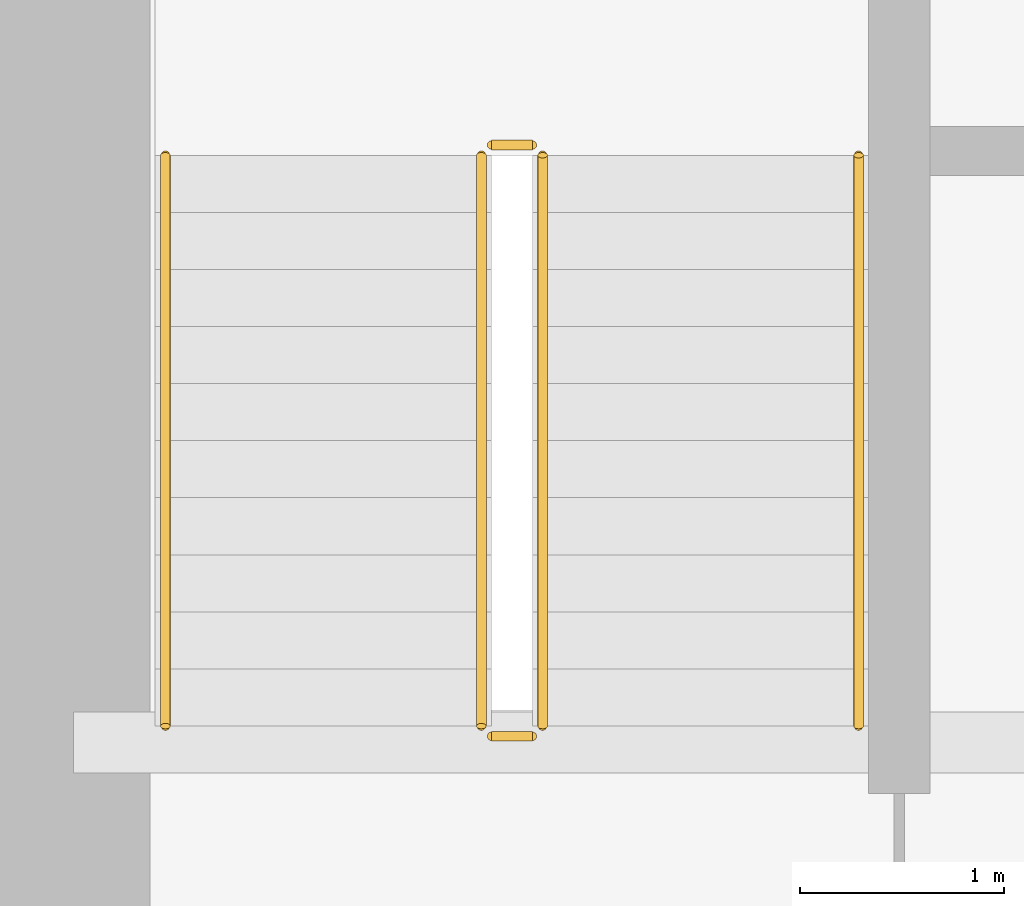
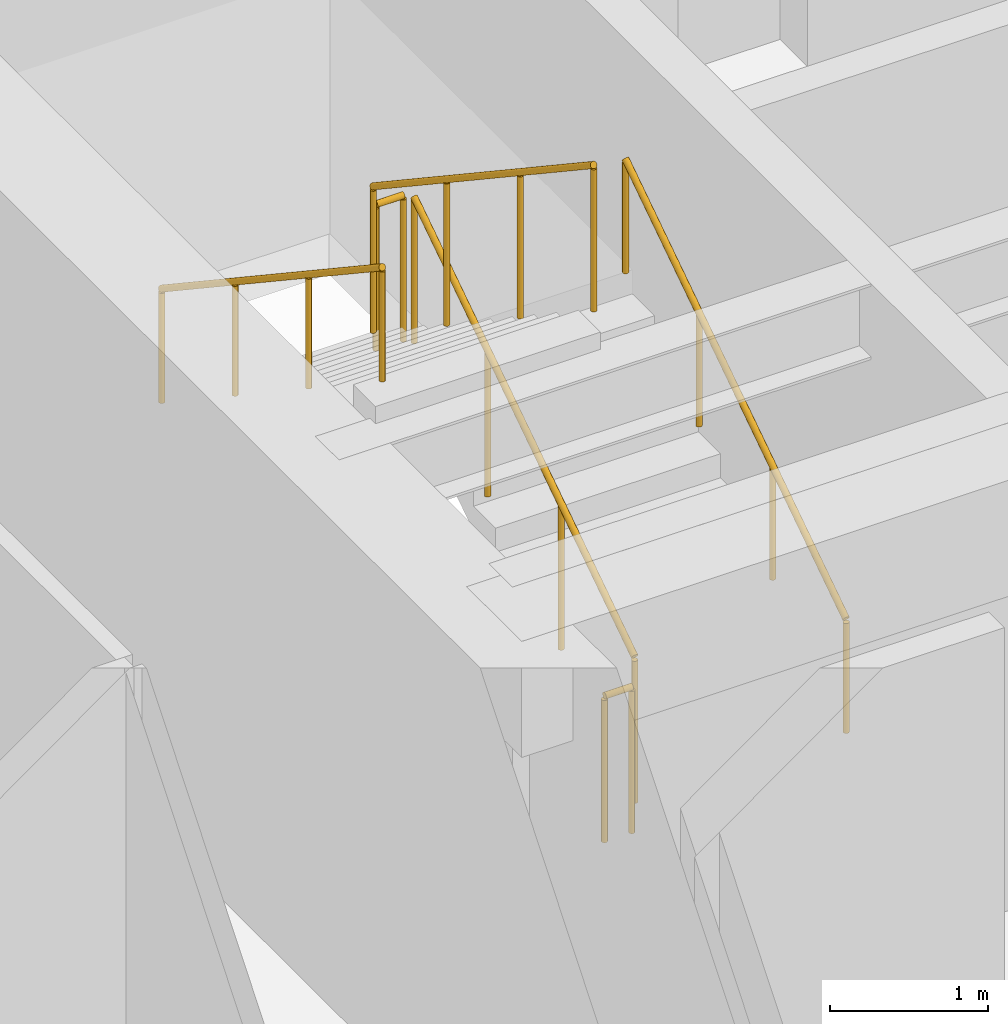
# One storey, part 34 of 35: 6 railings.
"""IFC4 building model written with IfcOpenShell, lengths in metres."""

from ifc_helpers import new_model, si_unit, direction, frame, origin, origin_2d, place, context, subcontext, project, spatial, circle, extrude, source, transform, mapped, material, type_object, type_shapes, element, save


model = new_model("IFC4")

# Units and contexts
model_context = context("Model", 3, precision=1e-05, world=origin(), true_north=direction((0.0, 1.0)))
body_context = subcontext(model_context, "Body", "Model", "MODEL_VIEW")
ifc_project = project(units=[si_unit("LENGTHUNIT", "METRE"), si_unit("AREAUNIT", "SQUARE_METRE"), si_unit("VOLUMEUNIT", "CUBIC_METRE"), si_unit("PLANEANGLEUNIT", "RADIAN"), si_unit("MASSUNIT", "GRAM", prefix="KILO")], contexts=[model_context])

# Site, building, storey
site_placement = place(None, origin())
site = spatial("IfcSite", under=ifc_project, at=site_placement, CompositionType="ELEMENT")
building_placement = place(site_placement, origin())
building = spatial("IfcBuilding", under=site, at=building_placement, Name="Haelvirn Gate Laboratories", CompositionType="ELEMENT")
storey_placement = place(building_placement, frame((0.0, 0.0, 41.60009765625)))
storey = spatial("IfcBuildingStorey", under=building, at=storey_placement, Name="L10", CompositionType="ELEMENT", Elevation=41.60009765625)

# Railings
ifc_material_1 = material(Name="Galvanised steel SM355 & stainless top rail", Category="steel")
railing_type_1 = type_object("IfcRailingType", Name="RL-GUARD-1150", PredefinedType="GUARDRAIL", material=ifc_material_1)
shared_shape_1 = source(origin(), body_context, "Body", "SweptSolid", [
    extrude(circle(Radius=0.02392578125, at=origin_2d()), frame((0.0, 0.0, 1.1259765625), z_axis=(-1.0, 0.0, 0.0), x_axis=(0.0, -1.0, 0.0)), (0.0, 0.0, 1.0), 0.199951171875),
    extrude(circle(Radius=0.02099609375, at=origin_2d()), origin(), (0.0, 0.0, 1.0), 1.101806640625),
    extrude(circle(Radius=0.02099609375, at=origin_2d()), frame((-0.199951171875, 0.0, 0.0)), (0.0, 0.0, 1.0), 1.101806640625),
])
for number, where, name in (
    (1, (9.64990234375, 29.550048828125, 2.0498046875), "L10 ST1 stair guard 2"),
    (2, (9.64990234375, 26.64990234375, 0.0), "L10 ST1 stair guard 4"),
):
    element("IfcRailing", number, at=place(storey_placement, frame(where)), inside=storey, type_object=railing_type_1, Name=name, PredefinedType="GUARDRAIL", context=body_context, shape_type="MappedRepresentation", body=[
        mapped(shared_shape_1, transform((0.0, 0.0, 0.0), scale=1.0)),
    ])
shared_shape_2 = source(origin(), body_context, "Body", "SweptSolid", [
    extrude(circle(Radius=0.02392578125, at=origin_2d()), frame((0.0, 0.0, 1.1259765625), z_axis=(0.0, 0.832485552168, 0.554046753832), x_axis=(-1.0, 0.0, 0.0)), (0.0, 0.0, 1.0), 3.363525390625),
    extrude(circle(Radius=0.02099609375, at=origin_2d()), origin(), (0.0, 0.0, 1.0), 1.101806640625),
    extrude(circle(Radius=0.02099609375, at=origin_2d()), frame((0.0, 0.933349609375, 0.62109375)), (0.0, 0.0, 1.0), 1.101806640625),
    extrude(circle(Radius=0.02099609375, at=origin_2d()), frame((0.0, 1.86669921875, 1.242431640625)), (0.0, 0.0, 1.0), 1.101806640625),
    extrude(circle(Radius=0.02099609375, at=origin_2d()), frame((0.0, 2.800048828125, 1.863525390625)), (0.0, 0.0, 1.0), 1.101806640625),
])
railing_1_placement = place(storey_placement, frame((9.699951171875, 26.699951171875, 0.186279296875)))
element("IfcRailing", 3, at=railing_1_placement, inside=storey, type_object=railing_type_1, Name="L10 ST1 stair guard 1", PredefinedType="GUARDRAIL", context=body_context, shape_type="MappedRepresentation", body=[
    mapped(shared_shape_2, transform((0.0, 0.0, 0.0), scale=1.0)),
])
ifc_material_2 = material(Name="Brushed stainless steel 316L", Category="steel")
railing_type_2 = type_object("IfcRailingType", Name="RL-HAND-920", PredefinedType="HANDRAIL", material=ifc_material_2)
shared_shape_3 = source(origin(), body_context, "Body", "SweptSolid", [
    extrude(circle(Radius=0.02392578125, at=origin_2d()), frame((0.0, 0.0, 0.8759765625), z_axis=(0.0, 0.832485552168, 0.554046753832), x_axis=(-1.0, 0.0, 0.0)), (0.0, 0.0, 1.0), 3.363525390625),
    extrude(circle(Radius=0.02099609375, at=origin_2d()), origin(), (0.0, 0.0, 1.0), 0.851806640625),
    extrude(circle(Radius=0.02099609375, at=origin_2d()), frame((0.0, 0.933349609375, 0.62109375)), (0.0, 0.0, 1.0), 0.851806640625),
    extrude(circle(Radius=0.02099609375, at=origin_2d()), frame((0.0, 1.86669921875, 1.242431640625)), (0.0, 0.0, 1.0), 0.851806640625),
    extrude(circle(Radius=0.02099609375, at=origin_2d()), frame((0.0, 2.800048828125, 1.863525390625)), (0.0, 0.0, 1.0), 0.851806640625),
])
railing_2_placement = place(storey_placement, frame((11.25, 26.699951171875, 0.186279296875)))
element("IfcRailing", 4, at=railing_2_placement, inside=storey, type_object=railing_type_2, Name="L10 ST1 stair handrail 1", PredefinedType="HANDRAIL", context=body_context, shape_type="MappedRepresentation", body=[
    mapped(shared_shape_3, transform((0.0, 0.0, 0.0), scale=1.0)),
])
shared_shape_4 = source(origin(), body_context, "Body", "SweptSolid", [
    extrude(circle(Radius=0.02392578125, at=origin_2d()), frame((0.0, 0.0, 1.1259765625), z_axis=(0.0, -0.832485552168, 0.554046753832), x_axis=(1.0, 0.0, 0.0)), (0.0, 0.0, 1.0), 3.363525390625),
    extrude(circle(Radius=0.02099609375, at=origin_2d()), origin(), (0.0, 0.0, 1.0), 1.101806640625),
    extrude(circle(Radius=0.02099609375, at=origin_2d()), frame((0.0, -0.933349609375, 0.62109375)), (0.0, 0.0, 1.0), 1.101806640625),
    extrude(circle(Radius=0.02099609375, at=origin_2d()), frame((0.0, -1.86669921875, 1.242431640625)), (0.0, 0.0, 1.0), 1.101806640625),
    extrude(circle(Radius=0.02099609375, at=origin_2d()), frame((0.0, -2.800048828125, 1.863525390625)), (0.0, 0.0, 1.0), 1.101806640625),
])
type_shapes(railing_type_1, [shared_shape_1, shared_shape_2, shared_shape_4])
railing_3_placement = place(storey_placement, frame((9.39990234375, 29.5, 2.236328125)))
element("IfcRailing", 5, at=railing_3_placement, inside=storey, type_object=railing_type_1, Name="L10 ST1 stair guard 3", PredefinedType="GUARDRAIL", context=body_context, shape_type="MappedRepresentation", body=[
    mapped(shared_shape_4, transform((0.0, 0.0, 0.0), scale=1.0)),
])
shared_shape_5 = source(origin(), body_context, "Body", "SweptSolid", [
    extrude(circle(Radius=0.02392578125, at=origin_2d()), frame((0.0, 0.0, 0.8759765625), z_axis=(0.0, -0.832485552168, 0.554046753832), x_axis=(1.0, 0.0, 0.0)), (0.0, 0.0, 1.0), 3.363525390625),
    extrude(circle(Radius=0.02099609375, at=origin_2d()), origin(), (0.0, 0.0, 1.0), 0.851806640625),
    extrude(circle(Radius=0.02099609375, at=origin_2d()), frame((0.0, -0.933349609375, 0.62109375)), (0.0, 0.0, 1.0), 0.851806640625),
    extrude(circle(Radius=0.02099609375, at=origin_2d()), frame((0.0, -1.86669921875, 1.242431640625)), (0.0, 0.0, 1.0), 0.851806640625),
    extrude(circle(Radius=0.02099609375, at=origin_2d()), frame((0.0, -2.800048828125, 1.863525390625)), (0.0, 0.0, 1.0), 0.851806640625),
])
type_shapes(railing_type_2, [shared_shape_3, shared_shape_5])
railing_4_placement = place(storey_placement, frame((7.85009765625, 29.5, 2.236328125)))
element("IfcRailing", 6, at=railing_4_placement, inside=storey, type_object=railing_type_2, Name="L10 ST1 stair handrail 2", PredefinedType="HANDRAIL", context=body_context, shape_type="MappedRepresentation", body=[
    mapped(shared_shape_5, transform((0.0, 0.0, 0.0), scale=1.0)),
])

save(model, "model.ifc")
